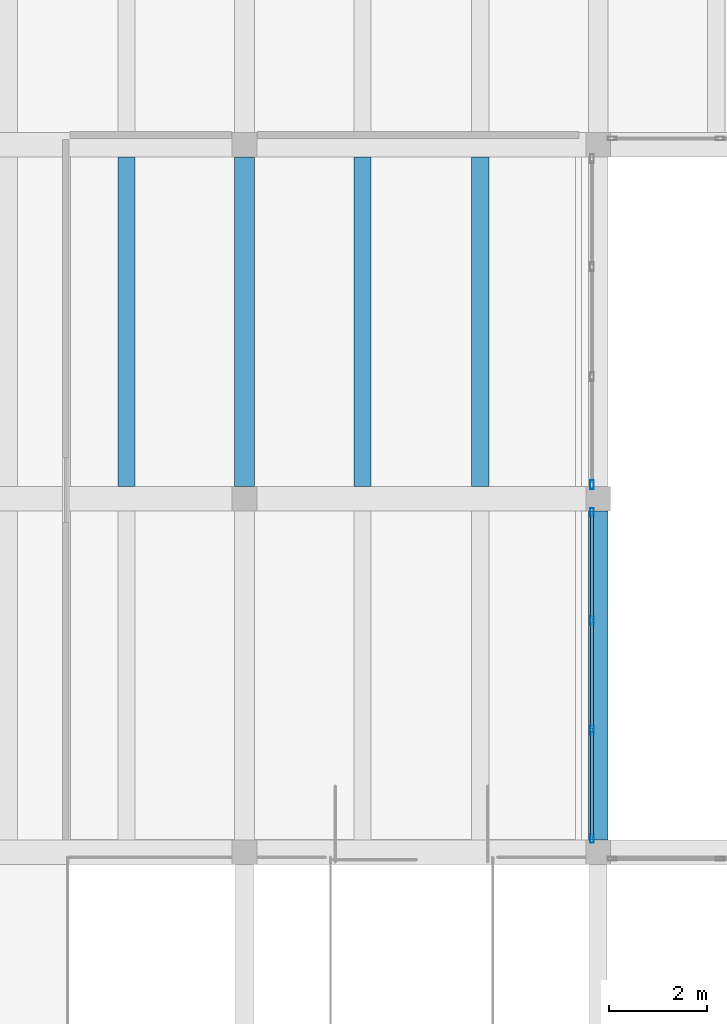
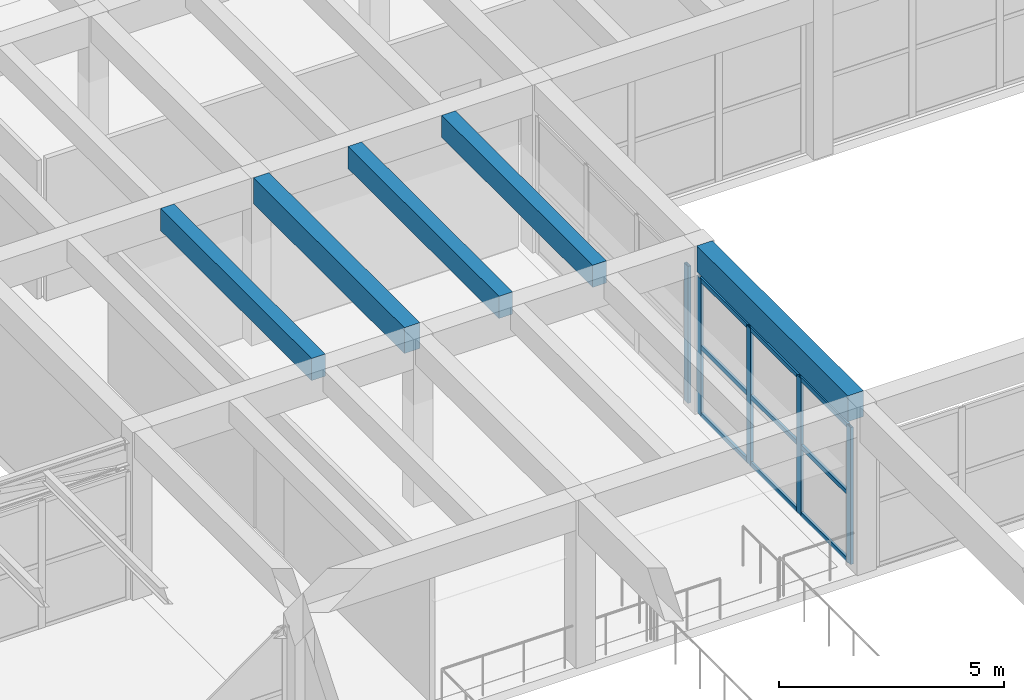
# One storey, part 28 of 153: 14 members, 5 beams, 2 elements without a shape of their own.
"""IFC4 building model written with IfcOpenShell, lengths in metres."""

from ifc_helpers import new_model, si_unit, direction, frame, origin, origin_2d, place, context, subcontext, project, spatial, rectangle, hollow_rectangle, extrude, material, material_profile, profile_set, type_object, element, aggregate, save


model = new_model("IFC4")

# Units and contexts
model_context = context("Model", 3, precision=1e-05, world=origin(), true_north=direction((0.0, 1.0)))
body_context = subcontext(model_context, "Body", "Model", "MODEL_VIEW")
ifc_project = project(units=[si_unit("LENGTHUNIT", "METRE"), si_unit("AREAUNIT", "SQUARE_METRE"), si_unit("VOLUMEUNIT", "CUBIC_METRE"), si_unit("PLANEANGLEUNIT", "RADIAN"), si_unit("MASSUNIT", "GRAM", prefix="KILO")], contexts=[model_context])

# Site, building, storey
site_placement = place(None, origin())
site = spatial("IfcSite", under=ifc_project, at=site_placement, CompositionType="ELEMENT")
building_placement = place(site_placement, origin())
building = spatial("IfcBuilding", under=site, at=building_placement, Name="Bramvelor Terrace Health Centre", CompositionType="ELEMENT")
storey_placement = place(building_placement, frame((0.0, 0.0, 4.800048828125)))
storey = spatial("IfcBuildingStorey", under=building, at=storey_placement, Name="L02", CompositionType="ELEMENT", Elevation=4.800048828125)

# Beams
ifc_material_1 = material(Name="Concrete C40/50", Category="concrete")
ifc_material_profile_1 = material_profile(ifc_material_1, rectangle(XDim=0.39990234375, YDim=0.699951171875, at=origin_2d()), Name="RC 400x700")
ifc_profile_set_1 = profile_set([ifc_material_profile_1], Name="Concrete C40/50")
beam_type_1 = type_object("IfcBeamType", Name="BM-RC-G700", PredefinedType="BEAM", material=ifc_profile_set_1)
beam_1_placement = place(storey_placement, frame((50.39990234375, 57.85009765625, 4.199951171875), z_axis=(0.0, 1.0, 0.0), x_axis=(-1.0, 0.0, 0.0)))
element("IfcBeam", 1, at=beam_1_placement, inside=storey, type_object=beam_type_1, Name="L02 Floor Girder", PredefinedType="BEAM", context=body_context, shape_type="SweptSolid", body=[
    extrude(rectangle(XDim=0.39990234375, YDim=0.699951171875, at=origin_2d()), origin(), (0.0, 0.0, 1.0), 6.699951171875),
])
beam_2_placement = place(storey_placement, frame((57.60009765625, 50.64990234375, 4.199951171875), z_axis=(0.0, 1.0, 0.0), x_axis=(-1.0, 0.0, 0.0)))
element("IfcBeam", 2, at=beam_2_placement, inside=storey, type_object=beam_type_1, Name="L02 Floor Girder", PredefinedType="BEAM", context=body_context, shape_type="SweptSolid", body=[
    extrude(rectangle(XDim=0.39990234375, YDim=0.699951171875, at=origin_2d()), origin(), (0.0, 0.0, 1.0), 6.7001953125),
])
ifc_material_2 = material(Name="Concrete C40/50", Category="concrete")
ifc_material_profile_2 = material_profile(ifc_material_2, rectangle(XDim=0.35009765625, YDim=0.60009765625, at=origin_2d()), Name="RC 350x600")
ifc_profile_set_2 = profile_set([ifc_material_profile_2], Name="Concrete C40/50")
beam_type_2 = type_object("IfcBeamType", Name="BM-RC-J600", PredefinedType="JOIST", material=ifc_profile_set_2)
for number, where, z_axis, x_axis, name in (
    (3, (48.0, 57.85009765625, 4.25), (0.0, 1.0, 0.0), (-1.0, 0.0, 0.0), "L02 Secondary Floor Joist"),
    (4, (52.800048828125, 57.85009765625, 4.25), (0.0, 1.0, 0.0), (-1.0, 0.0, 0.0), "L02 Secondary Floor Joist"),
    (5, (55.199951171875, 57.85009765625, 4.25), (0.0, 1.0, 0.0), (-1.0, 0.0, 0.0), "L02 Secondary Floor Joist"),
):
    element("IfcBeam", number, at=place(storey_placement, frame(where, z_axis=z_axis, x_axis=x_axis)), inside=storey, type_object=beam_type_2, Name=name, PredefinedType="JOIST", context=body_context, shape_type="SweptSolid", body=[
        extrude(rectangle(XDim=0.35009765625, YDim=0.60009765625, at=origin_2d()), origin(), (0.0, 0.0, 1.0), 6.699951171875),
    ])

# Curtain wall, member
ifc_material_3 = material(Name="Anodized aluminium and double low-E glass", Category="aluminium")
curtain_wall_type = type_object("IfcCurtainWallType", Name="CW-SYS-17", PredefinedType="NOTDEFINED", material=ifc_material_3)
curtain_wall_1_placement = place(storey_placement, origin())
curtain_wall_1 = element("IfcCurtainWall", 6, at=curtain_wall_1_placement, inside=storey, type_object=curtain_wall_type, Name="L02 Unitized Curtain Wall 133", PredefinedType="NOTDEFINED")
ifc_material_4 = material(Name="Anodized aluminium 6063-T6", Category="aluminium")
ifc_material_profile_3 = material_profile(ifc_material_4, hollow_rectangle(XDim=0.074951171875, YDim=0.179931640625, WallThickness=0.00341796875, at=origin_2d()), Name="ALU-MUL 75x180x3.5")
ifc_profile_set_3 = profile_set([ifc_material_profile_3], Name="Anodized aluminium 6063-T6")
member_type_1 = type_object("IfcMemberType", Name="CW-MUL-65x180", PredefinedType="MULLION", material=ifc_profile_set_3)
member_1_placement = place(storey_placement, frame((57.469970703125, 57.882568359375, 0.0), z_axis=(0.0, 0.0, 1.0), x_axis=(1.0, 0.0, 0.0)))
member_1 = element("IfcMember", 7, at=member_1_placement, type_object=member_type_1, Name="CW-17 mullion 4", PredefinedType="MULLION", context=body_context, shape_type="SweptSolid", body=[
    extrude(hollow_rectangle(XDim=0.074951171875, YDim=0.179931640625, WallThickness=0.00341796875, at=origin_2d()), origin(), (0.0, 0.0, 1.0), 3.7099609375),
])
aggregate(curtain_wall_1, [member_1])

# Curtain wall, members
curtain_wall_2_placement = place(storey_placement, origin())
curtain_wall_2 = element("IfcCurtainWall", 8, at=curtain_wall_2_placement, inside=storey, type_object=curtain_wall_type, Name="L02 Unitized Curtain Wall 134", PredefinedType="NOTDEFINED")
member_2_placement = place(storey_placement, frame((57.469970703125, 57.3173828125, 0.0), z_axis=(0.0, 0.0, 1.0), x_axis=(1.0, 0.0, 0.0)))
member_2 = element("IfcMember", 9, at=member_2_placement, type_object=member_type_1, Name="CW-17 mullion 1", PredefinedType="MULLION", context=body_context, shape_type="SweptSolid", body=[
    extrude(hollow_rectangle(XDim=0.074951171875, YDim=0.179931640625, WallThickness=0.00341796875, at=origin_2d()), origin(), (0.0, 0.0, 1.0), 3.7099609375),
])
member_3_placement = place(storey_placement, frame((57.469970703125, 55.118408203125, 0.0), z_axis=(0.0, 0.0, 1.0), x_axis=(1.0, 0.0, 0.0)))
member_3 = element("IfcMember", 10, at=member_3_placement, type_object=member_type_1, Name="CW-17 mullion 2", PredefinedType="MULLION", context=body_context, shape_type="SweptSolid", body=[
    extrude(hollow_rectangle(XDim=0.074951171875, YDim=0.179931640625, WallThickness=0.00341796875, at=origin_2d()), origin(), (0.0, 0.0, 1.0), 3.7099609375),
])
member_4_placement = place(storey_placement, frame((57.469970703125, 52.881591796875, 0.0), z_axis=(0.0, 0.0, 1.0), x_axis=(1.0, 0.0, 0.0)))
member_4 = element("IfcMember", 11, at=member_4_placement, type_object=member_type_1, Name="CW-17 mullion 3", PredefinedType="MULLION", context=body_context, shape_type="SweptSolid", body=[
    extrude(hollow_rectangle(XDim=0.074951171875, YDim=0.179931640625, WallThickness=0.00341796875, at=origin_2d()), origin(), (0.0, 0.0, 1.0), 3.7099609375),
])
member_5_placement = place(storey_placement, frame((57.469970703125, 50.6826171875, 0.0), z_axis=(0.0, 0.0, 1.0), x_axis=(1.0, 0.0, 0.0)))
member_5 = element("IfcMember", 12, at=member_5_placement, type_object=member_type_1, Name="CW-17 mullion 4", PredefinedType="MULLION", context=body_context, shape_type="SweptSolid", body=[
    extrude(hollow_rectangle(XDim=0.074951171875, YDim=0.179931640625, WallThickness=0.00341796875, at=origin_2d()), origin(), (0.0, 0.0, 1.0), 3.7099609375),
])
ifc_material_5 = material(Name="Anodized aluminium 6063-T6", Category="aluminium")
ifc_material_profile_4 = material_profile(ifc_material_5, hollow_rectangle(XDim=0.06494140625, YDim=0.1201171875, WallThickness=0.0029296875, at=origin_2d()), Name="ALU-TRN 65x120x3.0")
ifc_profile_set_4 = profile_set([ifc_material_profile_4], Name="Anodized aluminium 6063-T6")
member_type_2 = type_object("IfcMemberType", Name="CW-TRN-65x150", PredefinedType="USERDEFINED", material=ifc_profile_set_4)
member_6_placement = place(storey_placement, frame((57.469970703125, 57.280029296875, 0.032470703125), z_axis=(0.0, -1.0, 0.0), x_axis=(1.0, 0.0, 0.0)))
member_6 = element("IfcMember", 13, at=member_6_placement, type_object=member_type_2, Name="CW-17 transom 1.1", ObjectType="TRANSOM", PredefinedType="USERDEFINED", context=body_context, shape_type="SweptSolid", body=[
    extrude(hollow_rectangle(XDim=0.06494140625, YDim=0.1201171875, WallThickness=0.0029296875, at=origin_2d()), origin(), (0.0, 0.0, 1.0), 2.124267578125),
])
member_7_placement = place(storey_placement, frame((57.469970703125, 57.280029296875, 1.85498046875), z_axis=(0.0, -1.0, 0.0), x_axis=(1.0, 0.0, 0.0)))
member_7 = element("IfcMember", 14, at=member_7_placement, type_object=member_type_2, Name="CW-17 transom 1.2", ObjectType="TRANSOM", PredefinedType="USERDEFINED", context=body_context, shape_type="SweptSolid", body=[
    extrude(hollow_rectangle(XDim=0.06494140625, YDim=0.1201171875, WallThickness=0.0029296875, at=origin_2d()), origin(), (0.0, 0.0, 1.0), 2.124267578125),
])
member_8_placement = place(storey_placement, frame((57.469970703125, 57.280029296875, 3.677490234375), z_axis=(0.0, -1.0, 0.0), x_axis=(1.0, 0.0, 0.0)))
member_8 = element("IfcMember", 15, at=member_8_placement, type_object=member_type_2, Name="CW-17 transom 1.3", ObjectType="TRANSOM", PredefinedType="USERDEFINED", context=body_context, shape_type="SweptSolid", body=[
    extrude(hollow_rectangle(XDim=0.06494140625, YDim=0.1201171875, WallThickness=0.0029296875, at=origin_2d()), origin(), (0.0, 0.0, 1.0), 2.124267578125),
])
member_9_placement = place(storey_placement, frame((57.469970703125, 55.080810546875, 0.032470703125), z_axis=(0.0, -1.0, 0.0), x_axis=(1.0, 0.0, 0.0)))
member_9 = element("IfcMember", 16, at=member_9_placement, type_object=member_type_2, Name="CW-17 transom 2.1", ObjectType="TRANSOM", PredefinedType="USERDEFINED", context=body_context, shape_type="SweptSolid", body=[
    extrude(hollow_rectangle(XDim=0.06494140625, YDim=0.1201171875, WallThickness=0.0029296875, at=origin_2d()), origin(), (0.0, 0.0, 1.0), 2.16162109375),
])
member_10_placement = place(storey_placement, frame((57.469970703125, 55.080810546875, 1.85498046875), z_axis=(0.0, -1.0, 0.0), x_axis=(1.0, 0.0, 0.0)))
member_10 = element("IfcMember", 17, at=member_10_placement, type_object=member_type_2, Name="CW-17 transom 2.2", ObjectType="TRANSOM", PredefinedType="USERDEFINED", context=body_context, shape_type="SweptSolid", body=[
    extrude(hollow_rectangle(XDim=0.06494140625, YDim=0.1201171875, WallThickness=0.0029296875, at=origin_2d()), origin(), (0.0, 0.0, 1.0), 2.16162109375),
])
member_11_placement = place(storey_placement, frame((57.469970703125, 55.080810546875, 3.677490234375), z_axis=(0.0, -1.0, 0.0), x_axis=(1.0, 0.0, 0.0)))
member_11 = element("IfcMember", 18, at=member_11_placement, type_object=member_type_2, Name="CW-17 transom 2.3", ObjectType="TRANSOM", PredefinedType="USERDEFINED", context=body_context, shape_type="SweptSolid", body=[
    extrude(hollow_rectangle(XDim=0.06494140625, YDim=0.1201171875, WallThickness=0.0029296875, at=origin_2d()), origin(), (0.0, 0.0, 1.0), 2.16162109375),
])
member_12_placement = place(storey_placement, frame((57.469970703125, 52.84423828125, 0.032470703125), z_axis=(0.0, -1.0, 0.0), x_axis=(1.0, 0.0, 0.0)))
member_12 = element("IfcMember", 19, at=member_12_placement, type_object=member_type_2, Name="CW-17 transom 3.1", ObjectType="TRANSOM", PredefinedType="USERDEFINED", context=body_context, shape_type="SweptSolid", body=[
    extrude(hollow_rectangle(XDim=0.06494140625, YDim=0.1201171875, WallThickness=0.0029296875, at=origin_2d()), origin(), (0.0, 0.0, 1.0), 2.124267578125),
])
member_13_placement = place(storey_placement, frame((57.469970703125, 52.84423828125, 1.85498046875), z_axis=(0.0, -1.0, 0.0), x_axis=(1.0, 0.0, 0.0)))
member_13 = element("IfcMember", 20, at=member_13_placement, type_object=member_type_2, Name="CW-17 transom 3.2", ObjectType="TRANSOM", PredefinedType="USERDEFINED", context=body_context, shape_type="SweptSolid", body=[
    extrude(hollow_rectangle(XDim=0.06494140625, YDim=0.1201171875, WallThickness=0.0029296875, at=origin_2d()), origin(), (0.0, 0.0, 1.0), 2.124267578125),
])
member_14_placement = place(storey_placement, frame((57.469970703125, 52.84423828125, 3.677490234375), z_axis=(0.0, -1.0, 0.0), x_axis=(1.0, 0.0, 0.0)))
member_14 = element("IfcMember", 21, at=member_14_placement, type_object=member_type_2, Name="CW-17 transom 3.3", ObjectType="TRANSOM", PredefinedType="USERDEFINED", context=body_context, shape_type="SweptSolid", body=[
    extrude(hollow_rectangle(XDim=0.06494140625, YDim=0.1201171875, WallThickness=0.0029296875, at=origin_2d()), origin(), (0.0, 0.0, 1.0), 2.124267578125),
])
aggregate(curtain_wall_2, [member_2, member_3, member_4, member_5, member_6, member_7, member_8, member_9, member_10, member_11, member_12, member_13, member_14])

save(model, "model.ifc")
